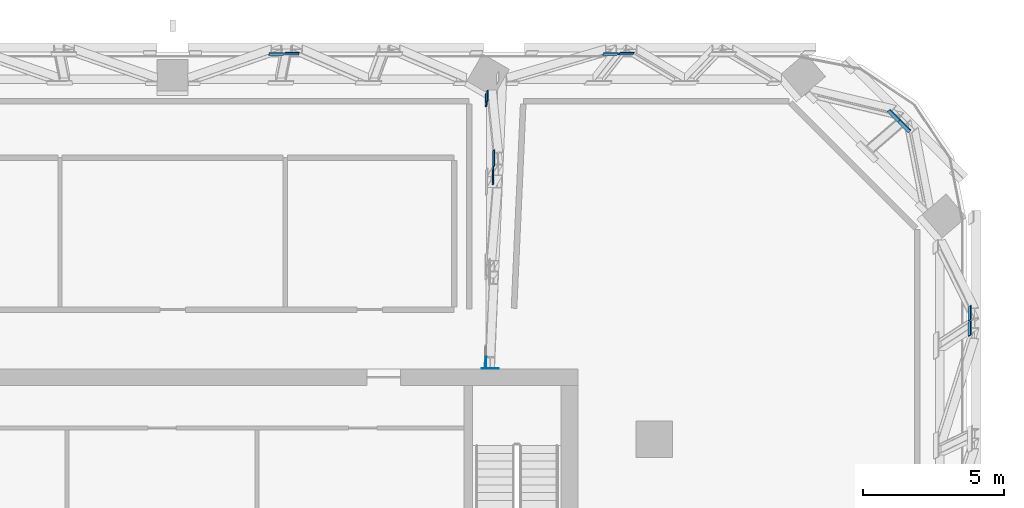
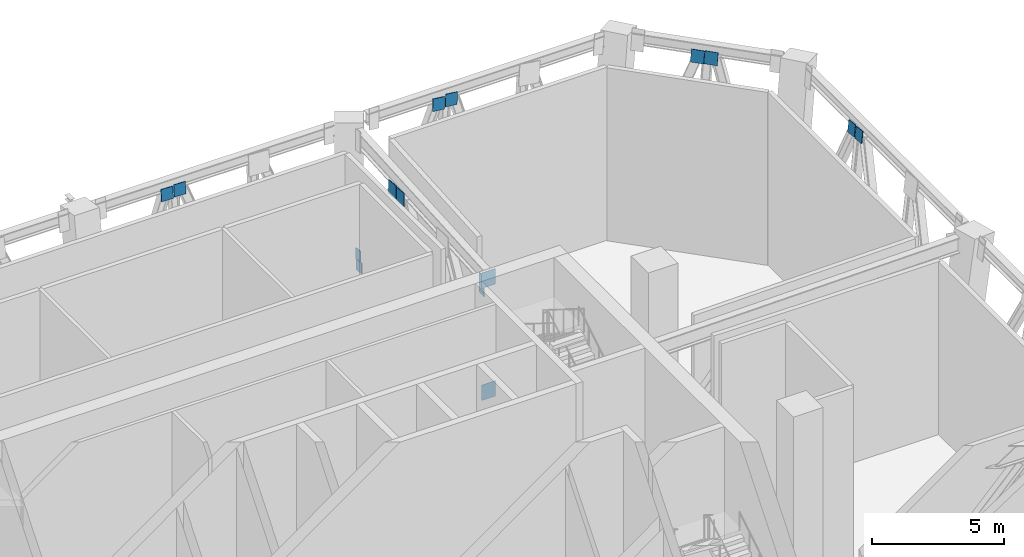
# One storey, part 17 of 24: 15 discrete accessories.
"""IFC4 building model written with IfcOpenShell, lengths in metres."""

from ifc_helpers import new_model, si_unit, direction, frame, origin, origin_2d, place, context, subcontext, project, spatial, rectangle, extrude, material, layer, layer_set, type_object, element, save


model = new_model("IFC4")

# Units and contexts
model_context = context("Model", 3, precision=1e-05, world=origin(), true_north=direction((0.0, 1.0)))
body_context = subcontext(model_context, "Body", "Model", "MODEL_VIEW")
ifc_project = project(units=[si_unit("LENGTHUNIT", "METRE"), si_unit("AREAUNIT", "SQUARE_METRE"), si_unit("VOLUMEUNIT", "CUBIC_METRE"), si_unit("PLANEANGLEUNIT", "RADIAN"), si_unit("MASSUNIT", "GRAM", prefix="KILO")], contexts=[model_context])

# Site, building, storey
site_placement = place(None, origin())
site = spatial("IfcSite", under=ifc_project, at=site_placement, CompositionType="ELEMENT")
building_placement = place(site_placement, origin())
building = spatial("IfcBuilding", under=site, at=building_placement, Name="Mopane Tessera Tower", CompositionType="ELEMENT")
storey_placement = place(building_placement, frame((0.0, 0.0, 259.0)))
storey = spatial("IfcBuildingStorey", under=building, at=storey_placement, Name="L56", CompositionType="ELEMENT", Elevation=259.0)

# Discrete accessories
ifc_material_1 = material(Name="Structural steel S460", Category="steel")
ifc_layer_1 = layer(ifc_material_1, 0.014892578125)
ifc_layer_set_1 = layer_set([ifc_layer_1], Name="Structural steel S460")
discrete_accessory_type_1 = type_object("IfcDiscreteAccessoryType", Name="Cast-in anchor plate 15 mm", PredefinedType="ANCHORPLATE", material=ifc_layer_set_1)
discrete_accessory_1_placement = place(storey_placement, frame((11.28125, 13.507568359375, 2.10009765625), z_axis=(0.0, 0.0, 1.0), x_axis=(0.0, 1.0, 0.0)))
element("IfcDiscreteAccessory", 1, at=discrete_accessory_1_placement, inside=storey, type_object=discrete_accessory_type_1, Name="Cast-in anchor plate s ot L56 N1 b", PredefinedType="ANCHORPLATE", context=body_context, shape_type="SweptSolid", body=[
    extrude(rectangle(XDim=0.014892578125, YDim=0.60400390625, at=origin_2d()), origin(), (0.0, 0.0, 1.0), 0.7158203125),
])
discrete_accessory_2_placement = place(storey_placement, frame((11.281982421875, 13.507568359375, 7.283935546875), z_axis=(0.0, 0.0, 1.0), x_axis=(0.0, 1.0, 0.0)))
element("IfcDiscreteAccessory", 2, at=discrete_accessory_2_placement, inside=storey, type_object=discrete_accessory_type_1, Name="Cast-in anchor plate s ot L56 N1 t", PredefinedType="ANCHORPLATE", context=body_context, shape_type="SweptSolid", body=[
    extrude(rectangle(XDim=0.014892578125, YDim=0.60400390625, at=origin_2d()), origin(), (0.0, 0.0, 1.0), 0.716064453125),
])
ifc_material_2 = material(Name="Structural steel S460", Category="steel")
ifc_layer_2 = layer(ifc_material_2, 0.030029296875)
ifc_layer_set_2 = layer_set([ifc_layer_2], Name="Structural steel S460")
discrete_accessory_type_2 = type_object("IfcDiscreteAccessoryType", Name="Truss node plate 30 mm", PredefinedType="BRACKET", material=ifc_layer_set_2)
discrete_accessory_3_placement = place(storey_placement, frame((11.12255859375, 13.728515625, 6.833984375), z_axis=(0.00189906571, 0.002984246116, 0.999993743893), x_axis=(-0.999024042691, 0.044134397919, 0.001765515443)))
element("IfcDiscreteAccessory", 3, at=discrete_accessory_3_placement, inside=storey, type_object=discrete_accessory_type_2, Name="Truss node plate s ot L56 N1 1", PredefinedType="BRACKET", context=body_context, shape_type="SweptSolid", body=[
    extrude(rectangle(XDim=0.030029296875, YDim=0.389892578125, at=origin_2d()), origin(), (0.0, 0.0, 1.0), 0.89990234375),
])
discrete_accessory_4_placement = place(storey_placement, frame((11.3671875, 20.319091796875, 6.94970703125), z_axis=(0.051755292619, 0.0897369993, 0.994619857354), x_axis=(-0.998659646999, 0.00519605452, 0.051496703528)))
element("IfcDiscreteAccessory", 4, at=discrete_accessory_4_placement, inside=storey, type_object=discrete_accessory_type_2, Name="Truss node plate s ot L56 N1 4", PredefinedType="BRACKET", context=body_context, shape_type="SweptSolid", body=[
    extrude(rectangle(XDim=0.030029296875, YDim=0.581787109375, at=origin_2d()), origin(), (0.0, 0.0, 1.0), 0.5849609375),
])
discrete_accessory_5_placement = place(storey_placement, frame((11.387451171875, 20.943115234375, 6.897216796875), z_axis=(0.056706350385, 0.09756827934, 0.99361200712), x_axis=(-0.998383391083, 0.009401531796, 0.05605546905)))
element("IfcDiscreteAccessory", 5, at=discrete_accessory_5_placement, inside=storey, type_object=discrete_accessory_type_2, Name="Truss node plate s ot L56 N1 6", PredefinedType="BRACKET", context=body_context, shape_type="SweptSolid", body=[
    extrude(rectangle(XDim=0.030029296875, YDim=0.581787109375, at=origin_2d()), origin(), (0.0, 0.0, 1.0), 0.58544921875),
])
discrete_accessory_6_placement = place(storey_placement, frame((11.125, 23.034423828125, 2.236083984375), z_axis=(0.076642422417, 0.132629440212, 0.988198042234), x_axis=(-0.997057679281, 0.011573570305, 0.075776227516)))
element("IfcDiscreteAccessory", 6, at=discrete_accessory_6_placement, inside=storey, type_object=discrete_accessory_type_2, Name="Truss node plate s ot L56 N1 7", PredefinedType="BRACKET", context=body_context, shape_type="SweptSolid", body=[
    extrude(rectangle(XDim=0.030029296875, YDim=0.44384765625, at=origin_2d()), origin(), (0.0, 0.0, 1.0), 0.44921875),
])
discrete_accessory_7_placement = place(storey_placement, frame((11.160400390625, 23.153076171875, 2.68994140625), z_axis=(0.077177184298, 0.13315781798, 0.988085359539), x_axis=(-0.997013797561, 0.012969030744, 0.076126813378)))
element("IfcDiscreteAccessory", 7, at=discrete_accessory_7_placement, inside=storey, type_object=discrete_accessory_type_2, Name="Truss node plate s ot L56 N1 8", PredefinedType="BRACKET", context=body_context, shape_type="SweptSolid", body=[
    extrude(rectangle(XDim=0.030029296875, YDim=0.374755859375, at=origin_2d()), origin(), (0.0, 0.0, 1.0), 0.44921875),
])
for number, where, z_axis, x_axis, name in (
    (8, (28.27490234375, 14.903564453125, 7.200439453125), (0.16905455709, 0.109720645688, 0.979480442192), (-0.985606533864, 0.018251832986, 0.168067340659), "Truss node plate s bt L56 E2-E3 4"),
    (9, (28.270263671875, 15.44677734375, 7.17431640625), (0.16905238283, 0.11395731656, 0.978996946809), (-0.985605970798, 0.018064154895, 0.168090917764), "Truss node plate s bt L56 E2-E3 6"),
):
    element("IfcDiscreteAccessory", number, at=place(storey_placement, frame(where, z_axis=z_axis, x_axis=x_axis)), inside=storey, type_object=discrete_accessory_type_2, Name=name, PredefinedType="BRACKET", context=body_context, shape_type="SweptSolid", body=[
        extrude(rectangle(XDim=0.030029296875, YDim=0.5078125, at=origin_2d()), origin(), (0.0, 0.0, 1.0), 0.5185546875),
    ])
for number, where, z_axis, x_axis, name in (
    (10, (25.94970703125, 22.0771484375, 7.200439453125), (0.168043467623, 0.145273350059, 0.975016434093), (-0.685949424124, -0.693118660585, 0.221494717528), "Truss node plate s bt L56 E3-N0 2"),
    (11, (25.5703125, 22.45166015625, 7.18603515625), (0.168485959207, 0.145262218884, 0.974941726112), (-0.68682026668, -0.692151117597, 0.221821441002), "Truss node plate s bt L56 E3-N0 4"),
):
    element("IfcDiscreteAccessory", number, at=place(storey_placement, frame(where, z_axis=z_axis, x_axis=x_axis)), inside=storey, type_object=discrete_accessory_type_2, Name=name, PredefinedType="BRACKET", context=body_context, shape_type="SweptSolid", body=[
        extrude(rectangle(XDim=0.030029296875, YDim=0.522705078125, at=origin_2d()), origin(), (0.0, 0.0, 1.0), 0.5361328125),
    ])
discrete_accessory_8_placement = place(storey_placement, frame((16.0810546875, 24.653564453125, 7.201416015625), z_axis=(0.116149122259, 0.146227580214, 0.982408711374), x_axis=(0.017985289309, -0.989250642243, 0.145119592714)))
element("IfcDiscreteAccessory", 12, at=discrete_accessory_8_placement, inside=storey, type_object=discrete_accessory_type_2, Name="Truss node plate s bt L56 N0-N1 4", PredefinedType="BRACKET", context=body_context, shape_type="SweptSolid", body=[
    extrude(rectangle(XDim=0.030029296875, YDim=0.518310546875, at=origin_2d()), origin(), (0.0, 0.0, 1.0), 0.527587890625),
])
discrete_accessory_9_placement = place(storey_placement, frame((15.52197265625, 24.650634765625, 7.18115234375), z_axis=(0.112037649384, 0.14629709589, 0.982875742327), x_axis=(0.017996486259, -0.989239677644, 0.145192929091)))
element("IfcDiscreteAccessory", 13, at=discrete_accessory_9_placement, inside=storey, type_object=discrete_accessory_type_2, Name="Truss node plate s bt L56 N0-N1 6", PredefinedType="BRACKET", context=body_context, shape_type="SweptSolid", body=[
    extrude(rectangle(XDim=0.030029296875, YDim=0.518310546875, at=origin_2d()), origin(), (0.0, 0.0, 1.0), 0.52734375),
])
for number, where, z_axis, x_axis, name in (
    (14, (4.22509765625, 24.653564453125, 7.201171875), (0.030791497452, 0.147425957497, 0.988593683341), (0.00473613124, -0.989073084274, 0.147349933916), "Truss node plate s bt L56 N1-N2 4"),
    (15, (3.668701171875, 24.650390625, 7.180419921875), (0.027062116464, 0.147441875908, 0.98870042737), (0.002053922501, -0.989068781336, 0.147440588673), "Truss node plate s bt L56 N1-N2 6"),
):
    element("IfcDiscreteAccessory", number, at=place(storey_placement, frame(where, z_axis=z_axis, x_axis=x_axis)), inside=storey, type_object=discrete_accessory_type_2, Name=name, PredefinedType="BRACKET", context=body_context, shape_type="SweptSolid", body=[
        extrude(rectangle(XDim=0.030029296875, YDim=0.517333984375, at=origin_2d()), origin(), (0.0, 0.0, 1.0), 0.523193359375),
    ])

save(model, "model.ifc")
